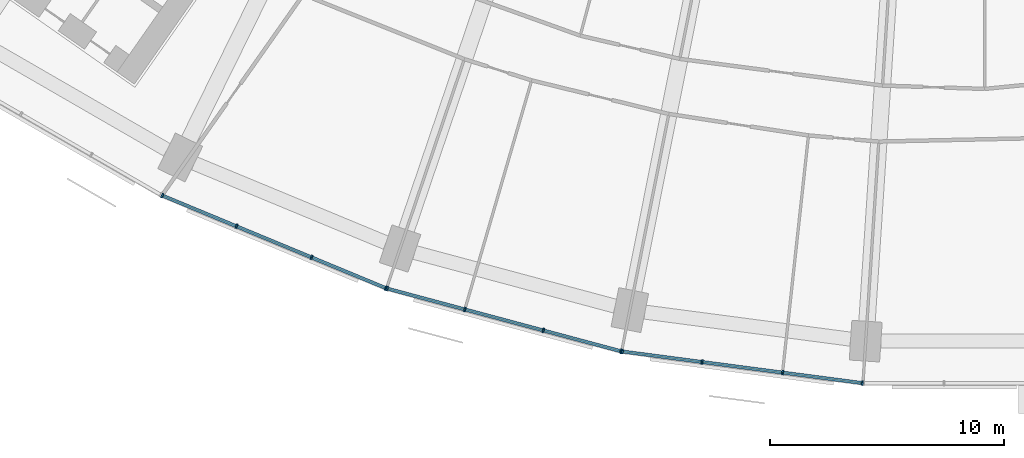
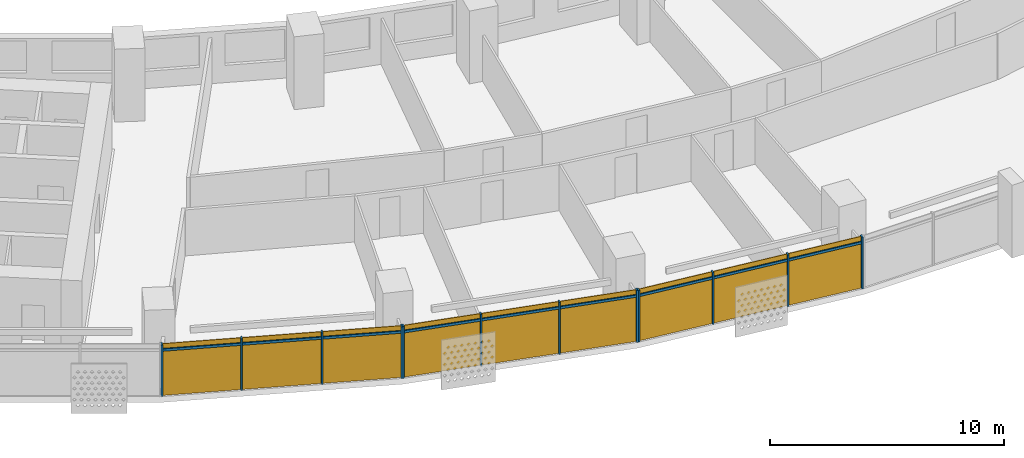
# One storey, part 19 of 29: 21 members, 3 curtain walls.
"""IFC4 building model written with IfcOpenShell, lengths in metres."""

import ifcopenshell
import ifcopenshell.guid

model = None  # the IFC model being written
_history = None  # IfcOwnerHistory: only IFC2X3 demands one
_inside = {}  # id of a spatial element -> (the spatial element, [elements in it])
_under = {}  # id of a project, library or spatial element -> (it, [spatial elements below it])
_declared = {}  # id of a project -> (the project, [libraries it declares])
_typed = {}  # id of a type object -> (the type object, [elements of that type])
_made_of = {}  # id of a material, layer set ... -> (it, [elements and type objects made of it])


def new_model(schema):
    """Start an empty IFC model of exactly this schema.

    Asked for "IFC4X3", IfcOpenShell would pick the latest addendum, in which some entities
    have other attributes; the version numbers below select the first issue.
    IFC2X3 requires an IfcOwnerHistory on every rooted entity: one is made here for all.
    """
    global model, _history
    if schema == "IFC4X3":
        model = ifcopenshell.file(schema_version=(4, 3, 0, 0))
    else:
        model = ifcopenshell.file(schema=schema)
    _inside.clear()
    _under.clear()
    _declared.clear()
    _typed.clear()
    _made_of.clear()
    _history = None
    if model.schema == "IFC2X3":
        org = make("IfcOrganization", Name="unknown")
        user = make(
            "IfcPersonAndOrganization",
            ThePerson=make("IfcPerson", FamilyName="unknown"),
            TheOrganization=org,
        )
        app = make(
            "IfcApplication",
            ApplicationDeveloper=org,
            Version="unknown",
            ApplicationFullName="unknown",
            ApplicationIdentifier="unknown",
        )
        _history = make(
            "IfcOwnerHistory",
            OwningUser=user,
            OwningApplication=app,
            ChangeAction="ADDED",
            CreationDate=0,
        )
    return model


def make(cls, **values):
    """One entity of the class cls with the attributes given. An attribute that is None is left unset."""
    return model.create_entity(
        cls, **{name: value for name, value in values.items() if value is not None}
    )


def rooted(cls, **values):
    """An entity with a GlobalId (a new one), such as an element, a storey or a relation."""
    return make(cls, GlobalId=ifcopenshell.guid.new(), OwnerHistory=_history, **values)


def si_unit(unit_type, name, prefix=None):
    """IfcSIUnit, for example si_unit("LENGTHUNIT", "METRE", prefix="MILLI")."""
    return make("IfcSIUnit", UnitType=unit_type, Prefix=prefix, Name=name)


def assignment(units):
    """IfcUnitAssignment: the units of a project."""
    return None if units is None else make("IfcUnitAssignment", Units=units)


def point(xyz):
    """IfcCartesianPoint."""
    return None if xyz is None else make("IfcCartesianPoint", Coordinates=xyz)


def direction(xyz):
    """IfcDirection."""
    return None if xyz is None else make("IfcDirection", DirectionRatios=xyz)


def frame(location, z_axis=None, x_axis=None):
    """IfcAxis2Placement3D, a coordinate frame: its origin and axes. An axis left out is left unset."""
    return make(
        "IfcAxis2Placement3D",
        Location=point(location),
        Axis=direction(z_axis),
        RefDirection=direction(x_axis),
    )


def frame_2d(location, x_axis=None):
    """IfcAxis2Placement2D, a coordinate frame in the plane: its origin and x axis."""
    return make(
        "IfcAxis2Placement2D", Location=point(location), RefDirection=direction(x_axis)
    )


def origin():
    """The frame at (0, 0, 0) with its axes left unset."""
    return frame((0.0, 0.0, 0.0))


def origin_2d():
    """The frame at (0, 0) in the plane with its x axis left unset."""
    return frame_2d((0.0, 0.0))


def place(relative_to, where):
    """IfcLocalPlacement: puts the frame where relative to a parent placement (None: the world)."""
    return make(
        "IfcLocalPlacement", PlacementRelTo=relative_to, RelativePlacement=where
    )


def context(
    kind, dimensions, precision=None, world=None, true_north=None, identifier=None
):
    """IfcGeometricRepresentationContext, for example the 3D "Model" context."""
    return make(
        "IfcGeometricRepresentationContext",
        ContextIdentifier=identifier,
        ContextType=kind,
        CoordinateSpaceDimension=dimensions,
        Precision=precision,
        WorldCoordinateSystem=world,
        TrueNorth=true_north,
    )


def subcontext(parent, identifier, kind, view, scale=None):
    """IfcGeometricRepresentationSubContext, for example "Body" below "Model"."""
    return make(
        "IfcGeometricRepresentationSubContext",
        ContextIdentifier=identifier,
        ContextType=kind,
        ParentContext=parent,
        TargetScale=scale,
        TargetView=view,
    )


def project(units=None, contexts=None):
    """IfcProject with its units and contexts."""
    return rooted(
        "IfcProject",
        Name="project",
        RepresentationContexts=contexts,
        UnitsInContext=assignment(units),
    )


def spatial(cls, under=None, at=None, **own):
    """A site, building, storey or space (cls), placed at a placement, below another one or the project."""
    s = rooted(cls, ObjectPlacement=at, **own)
    if under is not None:
        _under.setdefault(under.id(), (under, []))[1].append(s)
    return s


def profile(cls, at=None, kind="AREA", **sizes):
    """A parametric profile (cls). Its sizes go by their IFC names, for example OverallWidth=200.0."""
    return make(cls, ProfileType=kind, Position=at, **sizes)


def rectangle(**sizes):
    """IfcRectangleProfileDef."""
    return profile("IfcRectangleProfileDef", **sizes)


def extrude(swept, where, along, depth):
    """IfcExtrudedAreaSolid: the profile swept, set in the frame where, extruded along a direction by depth."""
    return make(
        "IfcExtrudedAreaSolid",
        SweptArea=swept,
        Position=where,
        ExtrudedDirection=direction(along),
        Depth=depth,
    )


def shape(context_of_items, identifier, shape_type, items):
    """IfcShapeRepresentation: the items that make up one representation, for example the "Body"."""
    return make(
        "IfcShapeRepresentation",
        ContextOfItems=context_of_items,
        RepresentationIdentifier=identifier,
        RepresentationType=shape_type,
        Items=items,
    )


def material(Name=None, Category=None):
    """IfcMaterial."""
    return make("IfcMaterial", Name=Name, Category=Category)


def material_profile(
    of_material, cross_section, Name=None, Category=None, Priority=None
):
    """IfcMaterialProfile: a cross section and its material."""
    return make(
        "IfcMaterialProfile",
        Name=Name,
        Material=of_material,
        Profile=cross_section,
        Priority=Priority,
        Category=Category,
    )


def profile_set(profiles, Name=None, composite=None):
    """IfcMaterialProfileSet."""
    return make(
        "IfcMaterialProfileSet",
        Name=Name,
        MaterialProfiles=profiles,
        CompositeProfile=composite,
    )


def made_of(thing, what):
    """Note that an element or type object is made of a material, layer set ...; save() writes the relation."""
    if what is not None:
        _made_of.setdefault(what.id(), (what, []))[1].append(thing)
    return thing


def type_object(cls, material=None, **own):
    """A type object (cls), such as IfcWallType, which elements share."""
    return made_of(rooted(cls, **own), material)


def element(
    cls,
    number,
    at=None,
    inside=None,
    cuts=None,
    type_object=None,
    material=None,
    context=None,
    identifier="Body",
    shape_type=None,
    held_by="IfcProductDefinitionShape",
    body=None,
    shapes=None,
    **own,
):
    """One element of the class cls, such as IfcWall. Its Tag is "e" and its number.

    at: its placement. inside: the storey or other place that contains it. cuts: it is an
    opening in that element (IfcRelVoidsElement). A single representation is given by context,
    identifier, shape_type and body (its items); several are given by shapes. held_by: the class
    of the entity that holds the representations. save() writes the other relations.
    """
    e = rooted(cls, Tag="e%d" % number, ObjectPlacement=at, **own)
    if body is not None:
        shapes = [shape(context, identifier, shape_type, body)]
    if shapes is not None:
        e.Representation = make(held_by, Representations=shapes)
    if inside is not None:
        _inside.setdefault(inside.id(), (inside, []))[1].append(e)
    if cuts is not None:
        rooted(
            "IfcRelVoidsElement", RelatingBuildingElement=cuts, RelatedOpeningElement=e
        )
    if type_object is not None:
        _typed.setdefault(type_object.id(), (type_object, []))[1].append(e)
    return made_of(e, material)


def aggregate(whole, parts):
    """IfcRelAggregates: a whole, such as a stair, and the parts it consists of."""
    return rooted("IfcRelAggregates", RelatingObject=whole, RelatedObjects=parts)


def save(model, path):
    """Write the relations noted so far, then the file.

    IfcRelAggregates (storeys below a building ...), IfcRelContainedInSpatialStructure (elements
    in a storey), IfcRelDefinesByType, IfcRelAssociatesMaterial and IfcRelDeclares: one each for
    every whole, place, type object, material and project.
    """
    for whole, parts in _under.values():
        aggregate(whole, parts)
    for where, things in _inside.values():
        rooted(
            "IfcRelContainedInSpatialStructure",
            RelatedElements=things,
            RelatingStructure=where,
        )
    for kind, things in _typed.values():
        rooted("IfcRelDefinesByType", RelatedObjects=things, RelatingType=kind)
    for what, things in _made_of.values():
        rooted("IfcRelAssociatesMaterial", RelatedObjects=things, RelatingMaterial=what)
    for by, libraries in _declared.values():
        rooted("IfcRelDeclares", RelatingContext=by, RelatedDefinitions=libraries)
    model.write(path)


model = new_model("IFC4")

# Units and contexts
model_context = context("Model", 3, precision=1e-05, world=origin(), true_north=direction((0.0, 1.0)))
body_context = subcontext(model_context, "Body", "Model", "MODEL_VIEW")
ifc_project = project(units=[si_unit("LENGTHUNIT", "METRE"), si_unit("AREAUNIT", "SQUARE_METRE"), si_unit("VOLUMEUNIT", "CUBIC_METRE"), si_unit("PLANEANGLEUNIT", "RADIAN"), si_unit("MASSUNIT", "GRAM", prefix="KILO")], contexts=[model_context])

# Member
ifc_material = material(Name="Aluminium 6063-T6 anodised", Category="aluminium")
ifc_material_profile_1 = material_profile(ifc_material, rectangle(XDim=0.199951171875, YDim=0.070068359375, at=origin_2d()))
ifc_profile_set_1 = profile_set([ifc_material_profile_1], Name="Aluminium 6063-T6 anodised")
member_type_1 = type_object("IfcMemberType", Name="Mullion 70 x 200 aluminium", PredefinedType="MULLION", material=ifc_profile_set_1)
site_placement = place(None, origin())
building_placement = place(site_placement, origin())
storey_placement = place(building_placement, frame((0.0, 0.0, 44.300048828125)))
member_1_placement = place(storey_placement, frame((-35.15771484375, -71.35693359375, 0.0), z_axis=(0.0, 0.0, 1.0), x_axis=(0.382683432365, 0.923879532511, 0.0)))
member_1 = element("IfcMember", 1, at=member_1_placement, type_object=member_type_1, Name="e-cw1-L07-out05/M00", PredefinedType="MULLION", context=body_context, shape_type="SweptSolid", body=[
    extrude(rectangle(XDim=0.199951171875, YDim=0.070068359375, at=origin_2d()), origin(), (0.0, 0.0, 1.0), 2.699951171875),
])

member_2_placement = place(storey_placement, frame((-31.9814453125, -72.672607421875, 0.0), z_axis=(0.0, 0.0, 1.0), x_axis=(0.382683432365, 0.923879532511, 0.0)))
member_2 = element("IfcMember", 2, at=member_2_placement, type_object=member_type_1, Name="e-cw1-L07-out05/M01", PredefinedType="MULLION", context=body_context, shape_type="SweptSolid", body=[
    extrude(rectangle(XDim=0.199951171875, YDim=0.070068359375, at=origin_2d()), origin(), (0.0, 0.0, 1.0), 2.699951171875),
])

member_3_placement = place(storey_placement, frame((-28.77294921875, -74.00146484375, 0.0), z_axis=(0.0, 0.0, 1.0), x_axis=(0.382683432365, 0.923879532511, 0.0)))
member_3 = element("IfcMember", 3, at=member_3_placement, type_object=member_type_1, Name="e-cw1-L07-out05/M02", PredefinedType="MULLION", context=body_context, shape_type="SweptSolid", body=[
    extrude(rectangle(XDim=0.199951171875, YDim=0.070068359375, at=origin_2d()), origin(), (0.0, 0.0, 1.0), 2.699951171875),
])

member_4_placement = place(storey_placement, frame((-25.5966796875, -75.317138671875, 0.0), z_axis=(0.0, 0.0, 1.0), x_axis=(0.382683432365, 0.923879532511, 0.0)))
member_4 = element("IfcMember", 4, at=member_4_placement, type_object=member_type_1, Name="e-cw1-L07-out05/M03", PredefinedType="MULLION", context=body_context, shape_type="SweptSolid", body=[
    extrude(rectangle(XDim=0.199951171875, YDim=0.070068359375, at=origin_2d()), origin(), (0.0, 0.0, 1.0), 2.699951171875),
])

member_5_placement = place(storey_placement, frame((-25.54296875, -75.33544921875, 0.0), z_axis=(0.0, 0.0, 1.0), x_axis=(0.258819045103, 0.965925826289, 0.0)))
member_5 = element("IfcMember", 5, at=member_5_placement, type_object=member_type_1, Name="e-cw1-L07-out06/M00", PredefinedType="MULLION", context=body_context, shape_type="SweptSolid", body=[
    extrude(rectangle(XDim=0.199951171875, YDim=0.070068359375, at=origin_2d()), origin(), (0.0, 0.0, 1.0), 2.699951171875),
])

member_6_placement = place(storey_placement, frame((-22.22216796875, -76.225341796875, 0.0), z_axis=(0.0, 0.0, 1.0), x_axis=(0.258819045103, 0.965925826289, 0.0)))
member_6 = element("IfcMember", 6, at=member_6_placement, type_object=member_type_1, Name="e-cw1-L07-out06/M01", PredefinedType="MULLION", context=body_context, shape_type="SweptSolid", body=[
    extrude(rectangle(XDim=0.199951171875, YDim=0.070068359375, at=origin_2d()), origin(), (0.0, 0.0, 1.0), 2.699951171875),
])

member_7_placement = place(storey_placement, frame((-18.86767578125, -77.1240234375, 0.0), z_axis=(0.0, 0.0, 1.0), x_axis=(0.258819045103, 0.965925826289, 0.0)))
member_7 = element("IfcMember", 7, at=member_7_placement, type_object=member_type_1, Name="e-cw1-L07-out06/M02", PredefinedType="MULLION", context=body_context, shape_type="SweptSolid", body=[
    extrude(rectangle(XDim=0.199951171875, YDim=0.070068359375, at=origin_2d()), origin(), (0.0, 0.0, 1.0), 2.699951171875),
])

member_8_placement = place(storey_placement, frame((-15.546875, -78.013916015625, 0.0), z_axis=(0.0, 0.0, 1.0), x_axis=(0.258819045103, 0.965925826289, 0.0)))
member_8 = element("IfcMember", 8, at=member_8_placement, type_object=member_type_1, Name="e-cw1-L07-out06/M03", PredefinedType="MULLION", context=body_context, shape_type="SweptSolid", body=[
    extrude(rectangle(XDim=0.199951171875, YDim=0.070068359375, at=origin_2d()), origin(), (0.0, 0.0, 1.0), 2.699951171875),
])

member_9_placement = place(storey_placement, frame((-15.4912109375, -78.02490234375, 0.0), z_axis=(0.0, 0.0, 1.0), x_axis=(0.13052619222, 0.991444861374, 0.0)))
member_9 = element("IfcMember", 9, at=member_9_placement, type_object=member_type_1, Name="e-cw1-L07-out07/M00", PredefinedType="MULLION", context=body_context, shape_type="SweptSolid", body=[
    extrude(rectangle(XDim=0.199951171875, YDim=0.070068359375, at=origin_2d()), origin(), (0.0, 0.0, 1.0), 2.699951171875),
])

member_10_placement = place(storey_placement, frame((-12.082763671875, -78.4736328125, 0.0), z_axis=(0.0, 0.0, 1.0), x_axis=(0.13052619222, 0.991444861374, 0.0)))
member_10 = element("IfcMember", 10, at=member_10_placement, type_object=member_type_1, Name="e-cw1-L07-out07/M01", PredefinedType="MULLION", context=body_context, shape_type="SweptSolid", body=[
    extrude(rectangle(XDim=0.199951171875, YDim=0.070068359375, at=origin_2d()), origin(), (0.0, 0.0, 1.0), 2.699951171875),
])

member_11_placement = place(storey_placement, frame((-8.639404296875, -78.927001953125, 0.0), z_axis=(0.0, 0.0, 1.0), x_axis=(0.13052619222, 0.991444861374, 0.0)))
member_11 = element("IfcMember", 11, at=member_11_placement, type_object=member_type_1, Name="e-cw1-L07-out07/M02", PredefinedType="MULLION", context=body_context, shape_type="SweptSolid", body=[
    extrude(rectangle(XDim=0.199951171875, YDim=0.070068359375, at=origin_2d()), origin(), (0.0, 0.0, 1.0), 2.699951171875),
])

member_12_placement = place(storey_placement, frame((-5.23095703125, -79.375732421875, 0.0), z_axis=(0.0, 0.0, 1.0), x_axis=(0.13052619222, 0.991444861374, 0.0)))
member_12 = element("IfcMember", 12, at=member_12_placement, type_object=member_type_1, Name="e-cw1-L07-out07/M03", PredefinedType="MULLION", context=body_context, shape_type="SweptSolid", body=[
    extrude(rectangle(XDim=0.199951171875, YDim=0.070068359375, at=origin_2d()), origin(), (0.0, 0.0, 1.0), 2.699951171875),
])

ifc_material_profile_2 = material_profile(ifc_material, rectangle(XDim=0.139892578125, YDim=0.1201171875, at=origin_2d()))
ifc_profile_set_2 = profile_set([ifc_material_profile_2], Name="Aluminium 6063-T6 anodised")
member_type_2 = type_object("IfcMemberType", Name="Transom 120 x 140 aluminium", PredefinedType="USERDEFINED", material=ifc_profile_set_2)
member_13_placement = place(storey_placement, frame((-35.125244140625, -71.370361328125, 2.39990234375), z_axis=(0.923872807855, -0.382699666719, 0.0), x_axis=(0.382699666719, 0.923872807855, 0.0)))
member_13 = element("IfcMember", 13, at=member_13_placement, type_object=member_type_2, Name="e-cw1-L07-out05/T00", ObjectType="TRANSOM", PredefinedType="USERDEFINED", context=body_context, shape_type="SweptSolid", body=[
    extrude(rectangle(XDim=0.139892578125, YDim=0.1201171875, at=origin_2d()), origin(), (0.0, 0.0, 1.0), 3.36767578125),
])

member_14_placement = place(storey_placement, frame((-31.94921875, -72.68603515625, 2.39990234375), z_axis=(0.92388567708, -0.382668597728, 0.0), x_axis=(0.382668597728, 0.92388567708, 0.0)))
member_14 = element("IfcMember", 14, at=member_14_placement, type_object=member_type_2, Name="e-cw1-L07-out05/T01", ObjectType="TRANSOM", PredefinedType="USERDEFINED", context=body_context, shape_type="SweptSolid", body=[
    extrude(rectangle(XDim=0.139892578125, YDim=0.1201171875, at=origin_2d()), origin(), (0.0, 0.0, 1.0), 3.403076171875),
])

member_15_placement = place(storey_placement, frame((-28.740478515625, -74.014892578125, 2.39990234375), z_axis=(0.923872807855, -0.382699666719, 0.0), x_axis=(0.382699666719, 0.923872807855, 0.0)))
member_15 = element("IfcMember", 15, at=member_15_placement, type_object=member_type_2, Name="e-cw1-L07-out05/T02", ObjectType="TRANSOM", PredefinedType="USERDEFINED", context=body_context, shape_type="SweptSolid", body=[
    extrude(rectangle(XDim=0.139892578125, YDim=0.1201171875, at=origin_2d()), origin(), (0.0, 0.0, 1.0), 3.36767578125),
])

member_16_placement = place(storey_placement, frame((-25.50927734375, -75.344482421875, 2.39990234375), z_axis=(0.965915368772, -0.258858069935, 0.0), x_axis=(0.258858069935, 0.965915368772, 0.0)))
member_16 = element("IfcMember", 16, at=member_16_placement, type_object=member_type_2, Name="e-cw1-L07-out06/T00", ObjectType="TRANSOM", PredefinedType="USERDEFINED", context=body_context, shape_type="SweptSolid", body=[
    extrude(rectangle(XDim=0.139892578125, YDim=0.1201171875, at=origin_2d()), origin(), (0.0, 0.0, 1.0), 3.367919921875),
])

member_17_placement = place(storey_placement, frame((-22.1884765625, -76.234375, 2.39990234375), z_axis=(0.965937804901, -0.258774336176, 0.0), x_axis=(0.258774336176, 0.965937804901, 0.0)))
member_17 = element("IfcMember", 17, at=member_17_placement, type_object=member_type_2, Name="e-cw1-L07-out06/T01", ObjectType="TRANSOM", PredefinedType="USERDEFINED", context=body_context, shape_type="SweptSolid", body=[
    extrude(rectangle(XDim=0.139892578125, YDim=0.1201171875, at=origin_2d()), origin(), (0.0, 0.0, 1.0), 3.403076171875),
])

member_18_placement = place(storey_placement, frame((-18.833740234375, -77.133056640625, 2.39990234375), z_axis=(0.965915368772, -0.258858069935, 0.0), x_axis=(0.258858069935, 0.965915368772, 0.0)))
member_18 = element("IfcMember", 18, at=member_18_placement, type_object=member_type_2, Name="e-cw1-L07-out06/T02", ObjectType="TRANSOM", PredefinedType="USERDEFINED", context=body_context, shape_type="SweptSolid", body=[
    extrude(rectangle(XDim=0.139892578125, YDim=0.1201171875, at=origin_2d()), origin(), (0.0, 0.0, 1.0), 3.367919921875),
])

member_19_placement = place(storey_placement, frame((-15.45654296875, -78.029541015625, 2.39990234375), z_axis=(0.9914412138, -0.130553895303, 0.0), x_axis=(0.130553895303, 0.9914412138, 0.0)))
member_19 = element("IfcMember", 19, at=member_19_placement, type_object=member_type_2, Name="e-cw1-L07-out07/T00", ObjectType="TRANSOM", PredefinedType="USERDEFINED", context=body_context, shape_type="SweptSolid", body=[
    extrude(rectangle(XDim=0.139892578125, YDim=0.1201171875, at=origin_2d()), origin(), (0.0, 0.0, 1.0), 3.367919921875),
])

member_20_placement = place(storey_placement, frame((-12.048095703125, -78.478271484375, 2.39990234375), z_axis=(0.991447700941, -0.130504621753, 0.0), x_axis=(0.130504621753, 0.991447700941, 0.0)))
member_20 = element("IfcMember", 20, at=member_20_placement, type_object=member_type_2, Name="e-cw1-L07-out07/T01", ObjectType="TRANSOM", PredefinedType="USERDEFINED", context=body_context, shape_type="SweptSolid", body=[
    extrude(rectangle(XDim=0.139892578125, YDim=0.1201171875, at=origin_2d()), origin(), (0.0, 0.0, 1.0), 3.40283203125),
])

member_21_placement = place(storey_placement, frame((-8.604736328125, -78.931640625, 2.39990234375), z_axis=(0.991450594138, -0.130482640159, 0.0), x_axis=(0.130482640159, 0.991450594138, 0.0)))
member_21 = element("IfcMember", 21, at=member_21_placement, type_object=member_type_2, Name="e-cw1-L07-out07/T02", ObjectType="TRANSOM", PredefinedType="USERDEFINED", context=body_context, shape_type="SweptSolid", body=[
    extrude(rectangle(XDim=0.139892578125, YDim=0.1201171875, at=origin_2d()), origin(), (0.0, 0.0, 1.0), 3.367919921875),
])

# Site, building, storey
site = spatial("IfcSite", under=ifc_project, at=site_placement, CompositionType="ELEMENT")
building = spatial("IfcBuilding", under=site, at=building_placement, Name="Qamariyya Broadcast Tower", CompositionType="ELEMENT")
storey = spatial("IfcBuildingStorey", under=building, at=storey_placement, Name="L07", CompositionType="ELEMENT", Elevation=44.300048828125)

# Curtain wall
curtain_wall_type = type_object("IfcCurtainWallType", Name="Unitised curtain wall, anodised aluminium", PredefinedType="NOTDEFINED", material=ifc_material)
curtain_wall_1_placement = place(storey_placement, origin())
curtain_wall_1 = element("IfcCurtainWall", 22, at=curtain_wall_1_placement, inside=storey, type_object=curtain_wall_type, Name="e-cw1-L07-out05", PredefinedType="NOTDEFINED", context=body_context, shape_type="SweptSolid", body=[
    extrude(rectangle(XDim=3.367919921875, YDim=0.031982421875, at=origin_2d()), frame((-33.569580078125, -72.0146484375, 0.0), x_axis=(0.92387774222, -0.382687754482, 0.0)), (0.0, 0.0, 1.0), 2.340087890625),
    extrude(rectangle(XDim=3.367919921875, YDim=0.031982421875, at=origin_2d()), frame((-33.569580078125, -72.0146484375, 2.4599609375), x_axis=(0.92387774222, -0.382687754482, 0.0)), (0.0, 0.0, 1.0), 0.239990234375),
    extrude(rectangle(XDim=3.40283203125, YDim=0.031982421875, at=origin_2d()), frame((-30.377197265625, -73.3369140625, 0.0), x_axis=(0.92387774222, -0.382687754482, 0.0)), (0.0, 0.0, 1.0), 2.340087890625),
    extrude(rectangle(XDim=3.40283203125, YDim=0.031982421875, at=origin_2d()), frame((-30.377197265625, -73.3369140625, 2.4599609375), x_axis=(0.92387774222, -0.382687754482, 0.0)), (0.0, 0.0, 1.0), 0.239990234375),
    extrude(rectangle(XDim=3.367919921875, YDim=0.031982421875, at=origin_2d()), frame((-27.184814453125, -74.659423828125, 0.0), x_axis=(0.92387774222, -0.382687754482, 0.0)), (0.0, 0.0, 1.0), 2.340087890625),
    extrude(rectangle(XDim=3.367919921875, YDim=0.031982421875, at=origin_2d()), frame((-27.184814453125, -74.659423828125, 2.4599609375), x_axis=(0.92387774222, -0.382687754482, 0.0)), (0.0, 0.0, 1.0), 0.239990234375),
])

aggregate(curtain_wall_1, [member_1, member_2, member_3, member_4, member_13, member_14, member_15])

curtain_wall_2_placement = place(storey_placement, origin())
curtain_wall_2 = element("IfcCurtainWall", 23, at=curtain_wall_2_placement, inside=storey, type_object=curtain_wall_type, Name="e-cw1-L07-out06", PredefinedType="NOTDEFINED", context=body_context, shape_type="SweptSolid", body=[
    extrude(rectangle(XDim=3.367919921875, YDim=0.031982421875, at=origin_2d()), frame((-23.882568359375, -75.7802734375, 0.0), x_axis=(0.965925039578, -0.258821981129, 0.0)), (0.0, 0.0, 1.0), 2.340087890625),
    extrude(rectangle(XDim=3.367919921875, YDim=0.031982421875, at=origin_2d()), frame((-23.882568359375, -75.7802734375, 2.4599609375), x_axis=(0.965925039578, -0.258821981129, 0.0)), (0.0, 0.0, 1.0), 0.239990234375),
    extrude(rectangle(XDim=3.40283203125, YDim=0.031982421875, at=origin_2d()), frame((-20.544921875, -76.6748046875, 0.0), x_axis=(0.965925039578, -0.258821981129, 0.0)), (0.0, 0.0, 1.0), 2.340087890625),
    extrude(rectangle(XDim=3.40283203125, YDim=0.031982421875, at=origin_2d()), frame((-20.544921875, -76.6748046875, 2.4599609375), x_axis=(0.965925039578, -0.258821981129, 0.0)), (0.0, 0.0, 1.0), 0.239990234375),
    extrude(rectangle(XDim=3.367919921875, YDim=0.031982421875, at=origin_2d()), frame((-17.207275390625, -77.569091796875, 0.0), x_axis=(0.965925039578, -0.258821981129, 0.0)), (0.0, 0.0, 1.0), 2.340087890625),
    extrude(rectangle(XDim=3.367919921875, YDim=0.031982421875, at=origin_2d()), frame((-17.207275390625, -77.569091796875, 2.4599609375), x_axis=(0.965925039578, -0.258821981129, 0.0)), (0.0, 0.0, 1.0), 0.239990234375),
])

aggregate(curtain_wall_2, [member_5, member_6, member_7, member_8, member_16, member_17, member_18])

curtain_wall_3_placement = place(storey_placement, origin())
curtain_wall_3 = element("IfcCurtainWall", 24, at=curtain_wall_3_placement, inside=storey, type_object=curtain_wall_type, Name="e-cw1-L07-out07", PredefinedType="NOTDEFINED", context=body_context, shape_type="SweptSolid", body=[
    extrude(rectangle(XDim=3.367919921875, YDim=0.031982421875, at=origin_2d()), frame((-13.786865234375, -78.24951171875, 0.0), x_axis=(0.991445519925, -0.130521189931, 0.0)), (0.0, 0.0, 1.0), 2.340087890625),
    extrude(rectangle(XDim=3.367919921875, YDim=0.031982421875, at=origin_2d()), frame((-13.786865234375, -78.24951171875, 2.4599609375), x_axis=(0.991445519925, -0.130521189931, 0.0)), (0.0, 0.0, 1.0), 0.239990234375),
    extrude(rectangle(XDim=3.40283203125, YDim=0.031982421875, at=origin_2d()), frame((-10.361083984375, -78.700439453125, 0.0), x_axis=(0.991445519925, -0.130521189931, 0.0)), (0.0, 0.0, 1.0), 2.340087890625),
    extrude(rectangle(XDim=3.40283203125, YDim=0.031982421875, at=origin_2d()), frame((-10.361083984375, -78.700439453125, 2.4599609375), x_axis=(0.991445519925, -0.130521189931, 0.0)), (0.0, 0.0, 1.0), 0.239990234375),
    extrude(rectangle(XDim=3.367919921875, YDim=0.031982421875, at=origin_2d()), frame((-6.935302734375, -79.1513671875, 0.0), x_axis=(0.991445519925, -0.130521189931, 0.0)), (0.0, 0.0, 1.0), 2.340087890625),
    extrude(rectangle(XDim=3.367919921875, YDim=0.031982421875, at=origin_2d()), frame((-6.935302734375, -79.1513671875, 2.4599609375), x_axis=(0.991445519925, -0.130521189931, 0.0)), (0.0, 0.0, 1.0), 0.239990234375),
])

aggregate(curtain_wall_3, [member_9, member_10, member_11, member_12, member_19, member_20, member_21])

save(model, "model.ifc")
